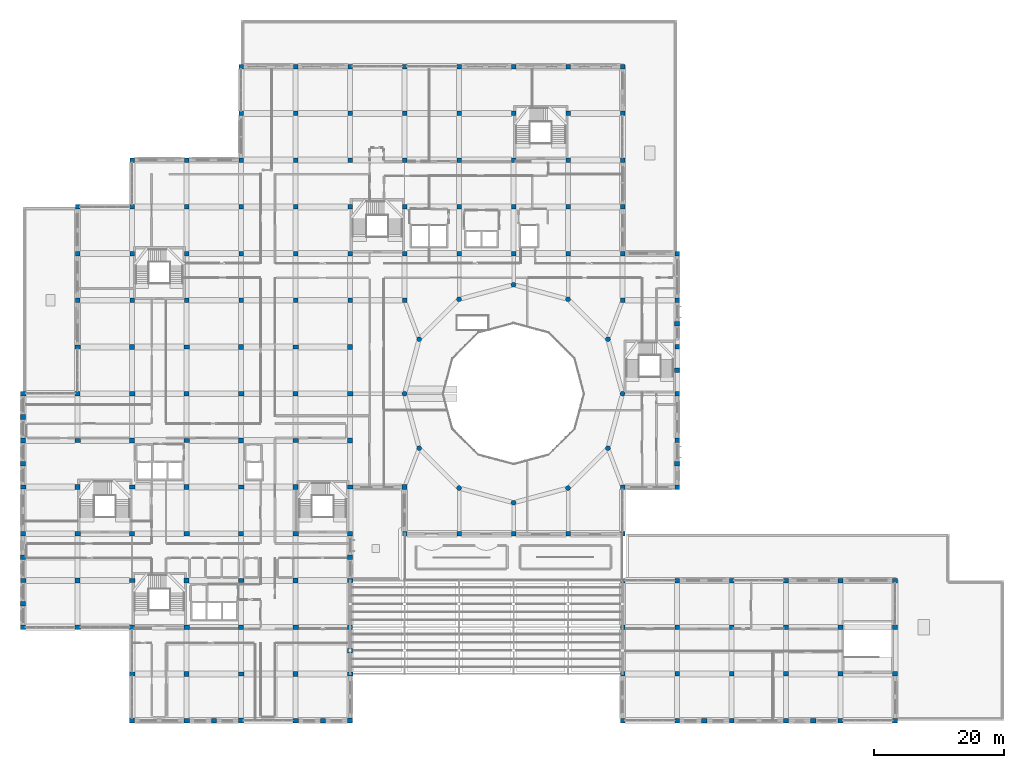
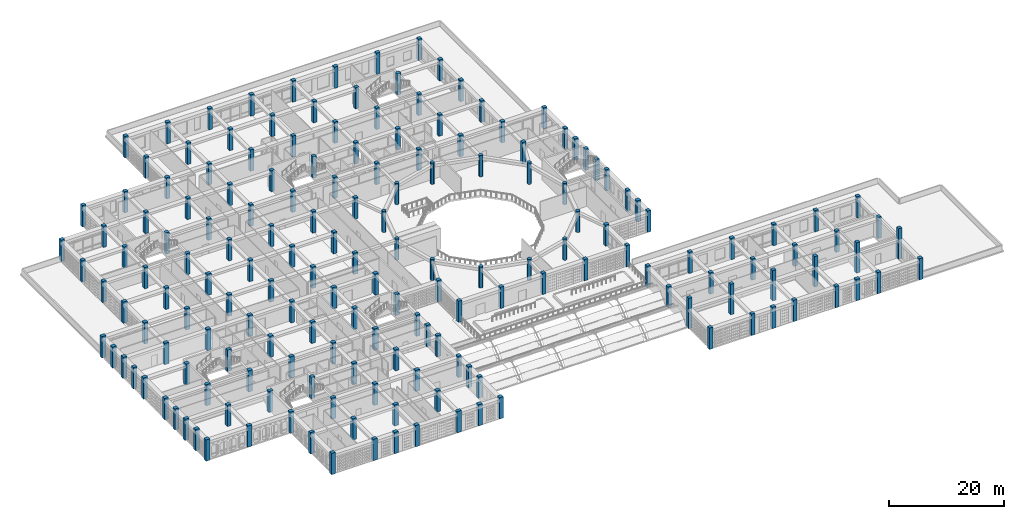
# One storey, part 1 of 100: 176 columns.
"""IFC4 building model written with IfcOpenShell, lengths in metres."""

from ifc_helpers import new_model, si_unit, derived_unit, direction, frame, origin, origin_2d, place, context, subcontext, project, spatial, rectangle, circle, extrude, material, material_profile, profile_set, type_object, element, save


model = new_model("IFC4")

# Units and contexts
model_context = context("Model", 3, precision=1e-05, world=origin(), true_north=direction((0.0, 1.0)))
body_context = subcontext(model_context, "Body", "Model", "MODEL_VIEW")
ifc_project = project(units=[si_unit("LENGTHUNIT", "METRE"), si_unit("AREAUNIT", "SQUARE_METRE"), si_unit("VOLUMEUNIT", "CUBIC_METRE"), si_unit("PLANEANGLEUNIT", "RADIAN"), si_unit("MASSUNIT", "GRAM", prefix="KILO"), derived_unit("THERMALTRANSMITTANCEUNIT", [(si_unit("POWERUNIT", "WATT"), 1), (si_unit("LENGTHUNIT", "METRE"), -2), (si_unit("THERMODYNAMICTEMPERATUREUNIT", "KELVIN"), -1)])], contexts=[model_context])

# Site, building, storey
site_placement = place(None, origin())
site = spatial("IfcSite", under=ifc_project, at=site_placement, CompositionType="ELEMENT")
building_placement = place(site_placement, origin())
building = spatial("IfcBuilding", under=site, at=building_placement, Name="Veybourne Emporium", CompositionType="ELEMENT")
storey_placement = place(building_placement, frame((0.0, 0.0, 14.39990234375)))
storey = spatial("IfcBuildingStorey", under=building, at=storey_placement, Name="L03", CompositionType="ELEMENT", Elevation=14.39990234375)

# Columns
ifc_material = material(Name="Concrete C40/50", Category="concrete")
ifc_material_profile_1 = material_profile(ifc_material, rectangle(XDim=0.75, YDim=0.75, at=origin_2d()), Name="RC 750x750")
ifc_profile_set_1 = profile_set([ifc_material_profile_1], Name="Concrete C40/50")
column_type_1 = type_object("IfcColumnType", Name="Col_C-03", PredefinedType="COLUMN", material=ifc_profile_set_1)
for number, where, z_axis, x_axis, name in (
    (1, (8.39990234375, 21.60009765625, 0.0), (0.0, 0.0, 1.0), (1.0, 0.0, 0.0), "Column C-03 L03 (1,3)"),
    (2, (8.39990234375, 36.0, 0.0), (0.0, 0.0, 1.0), (1.0, 0.0, 0.0), "Column C-03 L03 (1,5)"),
    (3, (8.39990234375, 50.39990234375, 0.0), (0.0, 0.0, 1.0), (1.0, 0.0, 0.0), "Column C-03 L03 (1,7)"),
    (4, (16.800048828125, 14.39990234375, 0.0), (0.0, 0.0, 1.0), (1.0, 0.0, 0.0), "Column C-03 L03 (2,2)"),
    (5, (16.800048828125, 28.800048828125, 0.0), (0.0, 0.0, 1.0), (1.0, 0.0, 0.0), "Column C-03 L03 (2,4)"),
    (6, (16.800048828125, 43.199951171875, 0.0), (0.0, 0.0, 1.0), (1.0, 0.0, 0.0), "Column C-03 L03 (2,6)"),
    (7, (16.800048828125, 57.60009765625, 0.0), (0.0, 0.0, 1.0), (1.0, 0.0, 0.0), "Column C-03 L03 (2,8)"),
    (8, (25.199951171875, 7.199951171875, 0.0), (0.0, 0.0, 1.0), (1.0, 0.0, 0.0), "Column C-03 L03 (3,1)"),
    (9, (25.199951171875, 21.60009765625, 0.0), (0.0, 0.0, 1.0), (1.0, 0.0, 0.0), "Column C-03 L03 (3,3)"),
    (10, (25.199951171875, 36.0, 0.0), (0.0, 0.0, 1.0), (1.0, 0.0, 0.0), "Column C-03 L03 (3,5)"),
    (11, (25.199951171875, 50.39990234375, 0.0), (0.0, 0.0, 1.0), (1.0, 0.0, 0.0), "Column C-03 L03 (3,7)"),
    (12, (33.60009765625, 14.39990234375, 0.0), (0.0, 0.0, 1.0), (1.0, 0.0, 0.0), "Column C-03 L03 (4,2)"),
    (13, (33.60009765625, 28.800048828125, 0.0), (0.0, 0.0, 1.0), (1.0, 0.0, 0.0), "Column C-03 L03 (4,4)"),
    (14, (33.60009765625, 43.199951171875, 0.0), (0.0, 0.0, 1.0), (1.0, 0.0, 0.0), "Column C-03 L03 (4,6)"),
    (15, (33.60009765625, 57.60009765625, 0.0), (0.0, 0.0, 1.0), (1.0, 0.0, 0.0), "Column C-03 L03 (4,8)"),
    (16, (42.0, 7.199951171875, 0.0), (0.0, 0.0, 1.0), (1.0, 0.0, 0.0), "Column C-03 L03 (5,1)"),
    (17, (42.0, 21.60009765625, 0.0), (0.0, 0.0, 1.0), (1.0, 0.0, 0.0), "Column C-03 L03 (5,3)"),
    (18, (42.0, 36.0, 0.0), (0.0, 0.0, 1.0), (1.0, 0.0, 0.0), "Column C-03 L03 (5,5)"),
    (19, (42.0, 50.39990234375, 0.0), (0.0, 0.0, 1.0), (1.0, 0.0, 0.0), "Column C-03 L03 (5,7)"),
    (20, (50.39990234375, 14.39990234375, 0.0), (0.0, 0.0, 1.0), (1.0, 0.0, 0.0), "Column C-03 L03 (6,2)"),
    (21, (50.39990234375, 28.800048828125, 0.0), (0.0, 0.0, 1.0), (1.0, 0.0, 0.0), "Column C-03 L03 (6,4)"),
    (22, (50.39990234375, 43.199951171875, 0.0), (0.0, 0.0, 1.0), (1.0, 0.0, 0.0), "Column C-03 L03 (6,6)"),
    (23, (50.39990234375, 57.60009765625, 0.0), (0.0, 0.0, 1.0), (1.0, 0.0, 0.0), "Column C-03 L03 (6,8)"),
    (24, (58.800048828125, 36.0, 0.0), (0.0, 0.0, 1.0), (1.0, 0.0, 0.0), "Column C-03 L03 (7,5)"),
):
    element("IfcColumn", number, at=place(storey_placement, frame(where, z_axis=z_axis, x_axis=x_axis)), inside=storey, type_object=column_type_1, Name=name, PredefinedType="COLUMN", context=body_context, shape_type="SweptSolid", body=[
        extrude(rectangle(XDim=0.75, YDim=0.75, at=origin_2d()), origin(), (0.0, 0.0, 1.0), 4.5),
    ])
ifc_material_profile_2 = material_profile(ifc_material, rectangle(XDim=0.699951171875, YDim=0.699951171875, at=origin_2d()), Name="RC 700x700")
ifc_profile_set_2 = profile_set([ifc_material_profile_2], Name="Concrete C40/50")
column_type_2 = type_object("IfcColumnType", Name="Col_C-04", PredefinedType="COLUMN", material=ifc_profile_set_2)
for number, where, z_axis, x_axis, name in (
    (25, (8.39990234375, 64.800048828125, 0.0), (0.0, 0.0, 1.0), (1.0, 0.0, 0.0), "Column C-04 L03 (1,9)"),
    (26, (8.39990234375, 72.0, 0.0), (0.0, 0.0, 1.0), (1.0, 0.0, 0.0), "Column C-04 L03 (1,10)"),
    (27, (8.39990234375, 79.199951171875, 0.0), (0.0, 0.0, 1.0), (1.0, 0.0, 0.0), "Column C-04 L03 (1,11)"),
    (28, (16.800048828125, 64.800048828125, 0.0), (0.0, 0.0, 1.0), (1.0, 0.0, 0.0), "Column C-04 L03 (2,9)"),
    (29, (16.800048828125, 72.0, 0.0), (0.0, 0.0, 1.0), (1.0, 0.0, 0.0), "Column C-04 L03 (2,10)"),
    (30, (16.800048828125, 79.199951171875, 0.0), (0.0, 0.0, 1.0), (1.0, 0.0, 0.0), "Column C-04 L03 (2,11)"),
    (31, (16.800048828125, 86.39990234375, 0.0), (0.0, 0.0, 1.0), (1.0, 0.0, 0.0), "Column C-04 L03 (2,12)"),
    (32, (25.199951171875, 64.800048828125, 0.0), (0.0, 0.0, 1.0), (1.0, 0.0, 0.0), "Column C-04 L03 (3,9)"),
    (33, (25.199951171875, 72.0, 0.0), (0.0, 0.0, 1.0), (1.0, 0.0, 0.0), "Column C-04 L03 (3,10)"),
    (34, (25.199951171875, 79.199951171875, 0.0), (0.0, 0.0, 1.0), (1.0, 0.0, 0.0), "Column C-04 L03 (3,11)"),
    (35, (25.199951171875, 86.39990234375, 0.0), (0.0, 0.0, 1.0), (1.0, 0.0, 0.0), "Column C-04 L03 (3,12)"),
    (36, (33.60009765625, 64.800048828125, 0.0), (0.0, 0.0, 1.0), (1.0, 0.0, 0.0), "Column C-04 L03 (4,9)"),
    (37, (33.60009765625, 72.0, 0.0), (0.0, 0.0, 1.0), (1.0, 0.0, 0.0), "Column C-04 L03 (4,10)"),
    (38, (33.60009765625, 79.199951171875, 0.0), (0.0, 0.0, 1.0), (1.0, 0.0, 0.0), "Column C-04 L03 (4,11)"),
    (39, (33.60009765625, 86.39990234375, 0.0), (0.0, 0.0, 1.0), (1.0, 0.0, 0.0), "Column C-04 L03 (4,12)"),
    (40, (33.60009765625, 93.60009765625, 0.0), (0.0, 0.0, 1.0), (1.0, 0.0, 0.0), "Column C-04 L03 (4,13)"),
    (41, (33.60009765625, 100.800048828125, 0.0), (0.0, 0.0, 1.0), (1.0, 0.0, 0.0), "Column C-04 L03 (4,14)"),
    (42, (42.0, 64.800048828125, 0.0), (0.0, 0.0, 1.0), (1.0, 0.0, 0.0), "Column C-04 L03 (5,9)"),
    (43, (42.0, 72.0, 0.0), (0.0, 0.0, 1.0), (1.0, 0.0, 0.0), "Column C-04 L03 (5,10)"),
    (44, (42.0, 79.199951171875, 0.0), (0.0, 0.0, 1.0), (1.0, 0.0, 0.0), "Column C-04 L03 (5,11)"),
    (45, (42.0, 86.39990234375, 0.0), (0.0, 0.0, 1.0), (1.0, 0.0, 0.0), "Column C-04 L03 (5,12)"),
    (46, (42.0, 93.60009765625, 0.0), (0.0, 0.0, 1.0), (1.0, 0.0, 0.0), "Column C-04 L03 (5,13)"),
    (47, (42.0, 100.800048828125, 0.0), (0.0, 0.0, 1.0), (1.0, 0.0, 0.0), "Column C-04 L03 (5,14)"),
    (48, (50.39990234375, 64.800048828125, 0.0), (0.0, 0.0, 1.0), (1.0, 0.0, 0.0), "Column C-04 L03 (6,9)"),
    (49, (50.39990234375, 72.0, 0.0), (0.0, 0.0, 1.0), (1.0, 0.0, 0.0), "Column C-04 L03 (6,10)"),
    (50, (50.39990234375, 79.199951171875, 0.0), (0.0, 0.0, 1.0), (1.0, 0.0, 0.0), "Column C-04 L03 (6,11)"),
    (51, (50.39990234375, 86.39990234375, 0.0), (0.0, 0.0, 1.0), (1.0, 0.0, 0.0), "Column C-04 L03 (6,12)"),
    (52, (50.39990234375, 93.60009765625, 0.0), (0.0, 0.0, 1.0), (1.0, 0.0, 0.0), "Column C-04 L03 (6,13)"),
    (53, (50.39990234375, 100.800048828125, 0.0), (0.0, 0.0, 1.0), (1.0, 0.0, 0.0), "Column C-04 L03 (6,14)"),
    (54, (58.800048828125, 28.800048828125, 0.0), (0.0, 0.0, 1.0), (1.0, 0.0, 0.0), "Column C-04 L03 (7,4)"),
    (55, (58.800048828125, 64.800048828125, 0.0), (0.0, 0.0, 1.0), (1.0, 0.0, 0.0), "Column C-04 L03 (7,9)"),
    (56, (58.800048828125, 72.0, 0.0), (0.0, 0.0, 1.0), (1.0, 0.0, 0.0), "Column C-04 L03 (7,10)"),
    (57, (58.800048828125, 79.199951171875, 0.0), (0.0, 0.0, 1.0), (1.0, 0.0, 0.0), "Column C-04 L03 (7,11)"),
    (58, (58.800048828125, 86.39990234375, 0.0), (0.0, 0.0, 1.0), (1.0, 0.0, 0.0), "Column C-04 L03 (7,12)"),
    (59, (58.800048828125, 93.60009765625, 0.0), (0.0, 0.0, 1.0), (1.0, 0.0, 0.0), "Column C-04 L03 (7,13)"),
    (60, (58.800048828125, 100.800048828125, 0.0), (0.0, 0.0, 1.0), (1.0, 0.0, 0.0), "Column C-04 L03 (7,14)"),
    (61, (67.199951171875, 28.800048828125, 0.0), (0.0, 0.0, 1.0), (1.0, 0.0, 0.0), "Column C-04 L03 (8,4)"),
    (62, (67.199951171875, 72.0, 0.0), (0.0, 0.0, 1.0), (1.0, 0.0, 0.0), "Column C-04 L03 (8,10)"),
    (63, (67.199951171875, 79.199951171875, 0.0), (0.0, 0.0, 1.0), (1.0, 0.0, 0.0), "Column C-04 L03 (8,11)"),
    (64, (67.199951171875, 86.39990234375, 0.0), (0.0, 0.0, 1.0), (1.0, 0.0, 0.0), "Column C-04 L03 (8,12)"),
    (65, (67.199951171875, 93.60009765625, 0.0), (0.0, 0.0, 1.0), (1.0, 0.0, 0.0), "Column C-04 L03 (8,13)"),
    (66, (67.199951171875, 100.800048828125, 0.0), (0.0, 0.0, 1.0), (1.0, 0.0, 0.0), "Column C-04 L03 (8,14)"),
    (67, (75.60009765625, 28.800048828125, 0.0), (0.0, 0.0, 1.0), (1.0, 0.0, 0.0), "Column C-04 L03 (9,4)"),
    (68, (75.60009765625, 72.0, 0.0), (0.0, 0.0, 1.0), (1.0, 0.0, 0.0), "Column C-04 L03 (9,10)"),
    (69, (75.60009765625, 79.199951171875, 0.0), (0.0, 0.0, 1.0), (1.0, 0.0, 0.0), "Column C-04 L03 (9,11)"),
    (70, (75.60009765625, 86.39990234375, 0.0), (0.0, 0.0, 1.0), (1.0, 0.0, 0.0), "Column C-04 L03 (9,12)"),
    (71, (75.60009765625, 93.60009765625, 0.0), (0.0, 0.0, 1.0), (1.0, 0.0, 0.0), "Column C-04 L03 (9,13)"),
    (72, (75.60009765625, 100.800048828125, 0.0), (0.0, 0.0, 1.0), (1.0, 0.0, 0.0), "Column C-04 L03 (9,14)"),
    (73, (84.0, 28.800048828125, 0.0), (0.0, 0.0, 1.0), (1.0, 0.0, 0.0), "Column C-04 L03 (10,4)"),
    (74, (84.0, 72.0, 0.0), (0.0, 0.0, 1.0), (1.0, 0.0, 0.0), "Column C-04 L03 (10,10)"),
    (75, (84.0, 79.199951171875, 0.0), (0.0, 0.0, 1.0), (1.0, 0.0, 0.0), "Column C-04 L03 (10,11)"),
    (76, (84.0, 86.39990234375, 0.0), (0.0, 0.0, 1.0), (1.0, 0.0, 0.0), "Column C-04 L03 (10,12)"),
    (77, (84.0, 93.60009765625, 0.0), (0.0, 0.0, 1.0), (1.0, 0.0, 0.0), "Column C-04 L03 (10,13)"),
    (78, (84.0, 100.800048828125, 0.0), (0.0, 0.0, 1.0), (1.0, 0.0, 0.0), "Column C-04 L03 (10,14)"),
):
    element("IfcColumn", number, at=place(storey_placement, frame(where, z_axis=z_axis, x_axis=x_axis)), inside=storey, type_object=column_type_2, Name=name, PredefinedType="COLUMN", context=body_context, shape_type="SweptSolid", body=[
        extrude(rectangle(XDim=0.699951171875, YDim=0.699951171875, at=origin_2d()), origin(), (0.0, 0.0, 1.0), 4.5),
    ])
column_1_placement = place(storey_placement, frame((92.39990234375, 7.199951171875, 0.0), z_axis=(0.0, 0.0, 1.0), x_axis=(1.0, 0.0, 0.0)))
element("IfcColumn", 79, at=column_1_placement, inside=storey, type_object=column_type_2, Name="Column C-04 L03 (11,1)", PredefinedType="COLUMN", context=body_context, shape_type="SweptSolid", body=[
    extrude(rectangle(XDim=0.699951171875, YDim=0.699951171875, at=origin_2d()), origin(), (0.0, 0.0, 1.0), 6.4501953125),
])
for number, where, z_axis, x_axis, name in (
    (80, (92.39990234375, 14.39990234375, 0.0), (0.0, 0.0, 1.0), (1.0, 0.0, 0.0), "Column C-04 L03 (11,2)"),
    (81, (92.39990234375, 21.60009765625, 0.0), (0.0, 0.0, 1.0), (1.0, 0.0, 0.0), "Column C-04 L03 (11,3)"),
    (82, (92.39990234375, 28.800048828125, 0.0), (0.0, 0.0, 1.0), (1.0, 0.0, 0.0), "Column C-04 L03 (11,4)"),
    (83, (92.39990234375, 36.0, 0.0), (0.0, 0.0, 1.0), (1.0, 0.0, 0.0), "Column C-04 L03 (11,5)"),
    (84, (92.39990234375, 64.800048828125, 0.0), (0.0, 0.0, 1.0), (1.0, 0.0, 0.0), "Column C-04 L03 (11,9)"),
    (85, (92.39990234375, 72.0, 0.0), (0.0, 0.0, 1.0), (1.0, 0.0, 0.0), "Column C-04 L03 (11,10)"),
    (86, (92.39990234375, 79.199951171875, 0.0), (0.0, 0.0, 1.0), (1.0, 0.0, 0.0), "Column C-04 L03 (11,11)"),
    (87, (92.39990234375, 86.39990234375, 0.0), (0.0, 0.0, 1.0), (1.0, 0.0, 0.0), "Column C-04 L03 (11,12)"),
    (88, (92.39990234375, 93.60009765625, 0.0), (0.0, 0.0, 1.0), (1.0, 0.0, 0.0), "Column C-04 L03 (11,13)"),
    (89, (92.39990234375, 100.800048828125, 0.0), (0.0, 0.0, 1.0), (1.0, 0.0, 0.0), "Column C-04 L03 (11,14)"),
):
    element("IfcColumn", number, at=place(storey_placement, frame(where, z_axis=z_axis, x_axis=x_axis)), inside=storey, type_object=column_type_2, Name=name, PredefinedType="COLUMN", context=body_context, shape_type="SweptSolid", body=[
        extrude(rectangle(XDim=0.699951171875, YDim=0.699951171875, at=origin_2d()), origin(), (0.0, 0.0, 1.0), 4.5),
    ])
column_2_placement = place(storey_placement, frame((100.800048828125, 7.199951171875, 0.0), z_axis=(0.0, 0.0, 1.0), x_axis=(1.0, 0.0, 0.0)))
element("IfcColumn", 90, at=column_2_placement, inside=storey, type_object=column_type_2, Name="Column C-04 L03 (12,1)", PredefinedType="COLUMN", context=body_context, shape_type="SweptSolid", body=[
    extrude(rectangle(XDim=0.699951171875, YDim=0.699951171875, at=origin_2d()), origin(), (0.0, 0.0, 1.0), 6.4501953125),
])
for number, where, z_axis, x_axis, name in (
    (91, (100.800048828125, 14.39990234375, 0.0), (0.0, 0.0, 1.0), (1.0, 0.0, 0.0), "Column C-04 L03 (12,2)"),
    (92, (100.800048828125, 21.60009765625, 0.0), (0.0, 0.0, 1.0), (1.0, 0.0, 0.0), "Column C-04 L03 (12,3)"),
    (93, (100.800048828125, 36.0, 0.0), (0.0, 0.0, 1.0), (1.0, 0.0, 0.0), "Column C-04 L03 (12,5)"),
    (94, (100.800048828125, 43.199951171875, 0.0), (0.0, 0.0, 1.0), (1.0, 0.0, 0.0), "Column C-04 L03 (12,6)"),
    (95, (100.800048828125, 50.39990234375, 0.0), (0.0, 0.0, 1.0), (1.0, 0.0, 0.0), "Column C-04 L03 (12,7)"),
    (96, (100.800048828125, 57.60009765625, 0.0), (0.0, 0.0, 1.0), (1.0, 0.0, 0.0), "Column C-04 L03 (12,8)"),
    (97, (100.800048828125, 64.800048828125, 0.0), (0.0, 0.0, 1.0), (1.0, 0.0, 0.0), "Column C-04 L03 (12,9)"),
    (98, (100.800048828125, 72.0, 0.0), (0.0, 0.0, 1.0), (1.0, 0.0, 0.0), "Column C-04 L03 (12,10)"),
):
    element("IfcColumn", number, at=place(storey_placement, frame(where, z_axis=z_axis, x_axis=x_axis)), inside=storey, type_object=column_type_2, Name=name, PredefinedType="COLUMN", context=body_context, shape_type="SweptSolid", body=[
        extrude(rectangle(XDim=0.699951171875, YDim=0.699951171875, at=origin_2d()), origin(), (0.0, 0.0, 1.0), 4.5),
    ])
column_3_placement = place(storey_placement, frame((109.199951171875, 7.199951171875, 0.0), z_axis=(0.0, 0.0, 1.0), x_axis=(1.0, 0.0, 0.0)))
element("IfcColumn", 99, at=column_3_placement, inside=storey, type_object=column_type_2, Name="Column C-04 L03 (13,1)", PredefinedType="COLUMN", context=body_context, shape_type="SweptSolid", body=[
    extrude(rectangle(XDim=0.699951171875, YDim=0.699951171875, at=origin_2d()), origin(), (0.0, 0.0, 1.0), 6.4501953125),
])
for number, where, z_axis, x_axis, name in (
    (100, (109.199951171875, 14.39990234375, 0.0), (0.0, 0.0, 1.0), (1.0, 0.0, 0.0), "Column C-04 L03 (13,2)"),
    (101, (109.199951171875, 21.60009765625, 0.0), (0.0, 0.0, 1.0), (1.0, 0.0, 0.0), "Column C-04 L03 (13,3)"),
):
    element("IfcColumn", number, at=place(storey_placement, frame(where, z_axis=z_axis, x_axis=x_axis)), inside=storey, type_object=column_type_2, Name=name, PredefinedType="COLUMN", context=body_context, shape_type="SweptSolid", body=[
        extrude(rectangle(XDim=0.699951171875, YDim=0.699951171875, at=origin_2d()), origin(), (0.0, 0.0, 1.0), 4.5),
    ])
column_4_placement = place(storey_placement, frame((117.60009765625, 7.199951171875, 0.0), z_axis=(0.0, 0.0, 1.0), x_axis=(1.0, 0.0, 0.0)))
element("IfcColumn", 102, at=column_4_placement, inside=storey, type_object=column_type_2, Name="Column C-04 L03 (14,1)", PredefinedType="COLUMN", context=body_context, shape_type="SweptSolid", body=[
    extrude(rectangle(XDim=0.699951171875, YDim=0.699951171875, at=origin_2d()), origin(), (0.0, 0.0, 1.0), 6.4501953125),
])
for number, where, z_axis, x_axis, name in (
    (103, (117.60009765625, 14.39990234375, 0.0), (0.0, 0.0, 1.0), (1.0, 0.0, 0.0), "Column C-04 L03 (14,2)"),
    (104, (117.60009765625, 21.60009765625, 0.0), (0.0, 0.0, 1.0), (1.0, 0.0, 0.0), "Column C-04 L03 (14,3)"),
):
    element("IfcColumn", number, at=place(storey_placement, frame(where, z_axis=z_axis, x_axis=x_axis)), inside=storey, type_object=column_type_2, Name=name, PredefinedType="COLUMN", context=body_context, shape_type="SweptSolid", body=[
        extrude(rectangle(XDim=0.699951171875, YDim=0.699951171875, at=origin_2d()), origin(), (0.0, 0.0, 1.0), 4.5),
    ])
column_5_placement = place(storey_placement, frame((126.0, 7.199951171875, 0.0), z_axis=(0.0, 0.0, 1.0), x_axis=(1.0, 0.0, 0.0)))
element("IfcColumn", 105, at=column_5_placement, inside=storey, type_object=column_type_2, Name="Column C-04 L03 (15,1)", PredefinedType="COLUMN", context=body_context, shape_type="SweptSolid", body=[
    extrude(rectangle(XDim=0.699951171875, YDim=0.699951171875, at=origin_2d()), origin(), (0.0, 0.0, 1.0), 6.4501953125),
])
for number, where, z_axis, x_axis, name in (
    (106, (126.0, 14.39990234375, 0.0), (0.0, 0.0, 1.0), (1.0, 0.0, 0.0), "Column C-04 L03 (15,2)"),
    (107, (126.0, 21.60009765625, 0.0), (0.0, 0.0, 1.0), (1.0, 0.0, 0.0), "Column C-04 L03 (15,3)"),
):
    element("IfcColumn", number, at=place(storey_placement, frame(where, z_axis=z_axis, x_axis=x_axis)), inside=storey, type_object=column_type_2, Name=name, PredefinedType="COLUMN", context=body_context, shape_type="SweptSolid", body=[
        extrude(rectangle(XDim=0.699951171875, YDim=0.699951171875, at=origin_2d()), origin(), (0.0, 0.0, 1.0), 4.5),
    ])
column_6_placement = place(storey_placement, frame((134.39990234375, 7.199951171875, 0.0), z_axis=(0.0, 0.0, 1.0), x_axis=(1.0, 0.0, 0.0)))
element("IfcColumn", 108, at=column_6_placement, inside=storey, type_object=column_type_2, Name="Column C-04 L03 (16,1)", PredefinedType="COLUMN", context=body_context, shape_type="SweptSolid", body=[
    extrude(rectangle(XDim=0.699951171875, YDim=0.699951171875, at=origin_2d()), origin(), (0.0, 0.0, 1.0), 6.4501953125),
])
for number, where, z_axis, x_axis, name in (
    (109, (134.39990234375, 14.39990234375, 0.0), (0.0, 0.0, 1.0), (1.0, 0.0, 0.0), "Column C-04 L03 (16,2)"),
    (110, (134.39990234375, 21.60009765625, 0.0), (0.0, 0.0, 1.0), (1.0, 0.0, 0.0), "Column C-04 L03 (16,3)"),
):
    element("IfcColumn", number, at=place(storey_placement, frame(where, z_axis=z_axis, x_axis=x_axis)), inside=storey, type_object=column_type_2, Name=name, PredefinedType="COLUMN", context=body_context, shape_type="SweptSolid", body=[
        extrude(rectangle(XDim=0.699951171875, YDim=0.699951171875, at=origin_2d()), origin(), (0.0, 0.0, 1.0), 4.5),
    ])
ifc_material_profile_3 = material_profile(ifc_material, rectangle(XDim=0.85009765625, YDim=0.64990234375, at=origin_2d()), Name="RC 850x650")
ifc_profile_set_3 = profile_set([ifc_material_profile_3], Name="Concrete C40/50")
column_type_3 = type_object("IfcColumnType", Name="Col_C-09", PredefinedType="COLUMN", material=ifc_profile_set_3)
for number, where, z_axis, x_axis, name in (
    (111, (8.39990234375, 14.39990234375, 0.0), (0.0, 0.0, 1.0), (1.0, 0.0, 0.0), "Column C-09 L03 (1,2)"),
    (112, (8.39990234375, 28.800048828125, 0.0), (0.0, 0.0, 1.0), (1.0, 0.0, 0.0), "Column C-09 L03 (1,4)"),
    (113, (8.39990234375, 43.199951171875, 0.0), (0.0, 0.0, 1.0), (1.0, 0.0, 0.0), "Column C-09 L03 (1,6)"),
    (114, (8.39990234375, 57.60009765625, 0.0), (0.0, 0.0, 1.0), (1.0, 0.0, 0.0), "Column C-09 L03 (1,8)"),
    (115, (16.800048828125, 7.199951171875, 0.0), (0.0, 0.0, 1.0), (1.0, 0.0, 0.0), "Column C-09 L03 (2,1)"),
    (116, (16.800048828125, 21.60009765625, 0.0), (0.0, 0.0, 1.0), (1.0, 0.0, 0.0), "Column C-09 L03 (2,3)"),
    (117, (16.800048828125, 36.0, 0.0), (0.0, 0.0, 1.0), (1.0, 0.0, 0.0), "Column C-09 L03 (2,5)"),
    (118, (16.800048828125, 50.39990234375, 0.0), (0.0, 0.0, 1.0), (1.0, 0.0, 0.0), "Column C-09 L03 (2,7)"),
    (119, (25.199951171875, 14.39990234375, 0.0), (0.0, 0.0, 1.0), (1.0, 0.0, 0.0), "Column C-09 L03 (3,2)"),
    (120, (25.199951171875, 28.800048828125, 0.0), (0.0, 0.0, 1.0), (1.0, 0.0, 0.0), "Column C-09 L03 (3,4)"),
    (121, (25.199951171875, 43.199951171875, 0.0), (0.0, 0.0, 1.0), (1.0, 0.0, 0.0), "Column C-09 L03 (3,6)"),
    (122, (25.199951171875, 57.60009765625, 0.0), (0.0, 0.0, 1.0), (1.0, 0.0, 0.0), "Column C-09 L03 (3,8)"),
    (123, (33.60009765625, 7.199951171875, 0.0), (0.0, 0.0, 1.0), (1.0, 0.0, 0.0), "Column C-09 L03 (4,1)"),
    (124, (33.60009765625, 21.60009765625, 0.0), (0.0, 0.0, 1.0), (1.0, 0.0, 0.0), "Column C-09 L03 (4,3)"),
    (125, (33.60009765625, 36.0, 0.0), (0.0, 0.0, 1.0), (1.0, 0.0, 0.0), "Column C-09 L03 (4,5)"),
    (126, (33.60009765625, 50.39990234375, 0.0), (0.0, 0.0, 1.0), (1.0, 0.0, 0.0), "Column C-09 L03 (4,7)"),
    (127, (42.0, 14.39990234375, 0.0), (0.0, 0.0, 1.0), (1.0, 0.0, 0.0), "Column C-09 L03 (5,2)"),
    (128, (42.0, 28.800048828125, 0.0), (0.0, 0.0, 1.0), (1.0, 0.0, 0.0), "Column C-09 L03 (5,4)"),
    (129, (42.0, 43.199951171875, 0.0), (0.0, 0.0, 1.0), (1.0, 0.0, 0.0), "Column C-09 L03 (5,6)"),
    (130, (42.0, 57.60009765625, 0.0), (0.0, 0.0, 1.0), (1.0, 0.0, 0.0), "Column C-09 L03 (5,8)"),
    (131, (50.39990234375, 7.199951171875, 0.0), (0.0, 0.0, 1.0), (1.0, 0.0, 0.0), "Column C-09 L03 (6,1)"),
    (132, (50.39990234375, 21.60009765625, 0.0), (0.0, 0.0, 1.0), (1.0, 0.0, 0.0), "Column C-09 L03 (6,3)"),
    (133, (50.39990234375, 36.0, 0.0), (0.0, 0.0, 1.0), (1.0, 0.0, 0.0), "Column C-09 L03 (6,5)"),
    (134, (50.39990234375, 50.39990234375, 0.0), (0.0, 0.0, 1.0), (1.0, 0.0, 0.0), "Column C-09 L03 (6,7)"),
):
    element("IfcColumn", number, at=place(storey_placement, frame(where, z_axis=z_axis, x_axis=x_axis)), inside=storey, type_object=column_type_3, Name=name, PredefinedType="COLUMN", context=body_context, shape_type="SweptSolid", body=[
        extrude(rectangle(XDim=0.85009765625, YDim=0.64990234375, at=origin_2d()), origin(), (0.0, 0.0, 1.0), 4.5),
    ])
ifc_material_profile_4 = material_profile(ifc_material, circle(Radius=0.375, at=origin_2d()), Name="RC D750")
ifc_profile_set_4 = profile_set([ifc_material_profile_4], Name="Concrete C40/50")
column_type_4 = type_object("IfcColumnType", Name="Col_CD-02", PredefinedType="COLUMN", material=ifc_profile_set_4)
for number, where, z_axis, x_axis, name in (
    (135, (92.39990234375, 50.39990234375, 0.0), (0.0, 0.0, 1.0), (1.0, 0.0, 0.0), "Atrium drum column CD-02 L03-01"),
    (136, (90.149169921875, 58.800048828125, 0.0), (0.0, 0.0, 1.0), (1.0, 0.0, 0.0), "Atrium drum column CD-02 L03-02"),
    (137, (84.0, 64.94921875, 0.0), (0.0, 0.0, 1.0), (1.0, 0.0, 0.0), "Atrium drum column CD-02 L03-03"),
    (138, (75.60009765625, 67.199951171875, 0.0), (0.0, 0.0, 1.0), (1.0, 0.0, 0.0), "Atrium drum column CD-02 L03-04"),
    (139, (67.199951171875, 64.94921875, 0.0), (0.0, 0.0, 1.0), (1.0, 0.0, 0.0), "Atrium drum column CD-02 L03-05"),
    (140, (61.05078125, 58.800048828125, 0.0), (0.0, 0.0, 1.0), (1.0, 0.0, 0.0), "Atrium drum column CD-02 L03-06"),
    (141, (58.800048828125, 50.39990234375, 0.0), (0.0, 0.0, 1.0), (1.0, 0.0, 0.0), "Atrium drum column CD-02 L03-07"),
    (142, (61.05078125, 42.0, 0.0), (0.0, 0.0, 1.0), (1.0, 0.0, 0.0), "Atrium drum column CD-02 L03-08"),
    (143, (67.199951171875, 35.850830078125, 0.0), (0.0, 0.0, 1.0), (1.0, 0.0, 0.0), "Atrium drum column CD-02 L03-09"),
    (144, (75.60009765625, 33.60009765625, 0.0), (0.0, 0.0, 1.0), (1.0, 0.0, 0.0), "Atrium drum column CD-02 L03-10"),
    (145, (84.0, 35.850830078125, 0.0), (0.0, 0.0, 1.0), (1.0, 0.0, 0.0), "Atrium drum column CD-02 L03-11"),
    (146, (90.149169921875, 42.0, 0.0), (0.0, 0.0, 1.0), (1.0, 0.0, 0.0), "Atrium drum column CD-02 L03-12"),
):
    element("IfcColumn", number, at=place(storey_placement, frame(where, z_axis=z_axis, x_axis=x_axis)), inside=storey, type_object=column_type_4, Name=name, PredefinedType="COLUMN", context=body_context, shape_type="SweptSolid", body=[
        extrude(circle(Radius=0.375, at=origin_2d()), origin(), (0.0, 0.0, 1.0), 4.5),
    ])
ifc_material_profile_5 = material_profile(ifc_material, rectangle(XDim=0.75, YDim=0.75, at=origin_2d()), Name="RC 750x750")
ifc_profile_set_5 = profile_set([ifc_material_profile_5], Name="Concrete C40/50")
column_type_5 = type_object("IfcColumnType", Name="Col_CE-03", PredefinedType="COLUMN", material=ifc_profile_set_5)
for number, where, z_axis, x_axis, name in (
    (147, (0.0, 14.39990234375, 0.0), (0.0, 0.0, 1.0), (1.0, 0.0, 0.0), "Column CE-03 L03 (0,2)"),
    (148, (0.0, 28.800048828125, 0.0), (0.0, 0.0, 1.0), (1.0, 0.0, 0.0), "Column CE-03 L03 (0,4)"),
    (149, (0.0, 43.199951171875, 0.0), (0.0, 0.0, 1.0), (1.0, 0.0, 0.0), "Column CE-03 L03 (0,6)"),
    (150, (16.800048828125, 0.0, 0.0), (0.0, 0.0, 1.0), (1.0, 0.0, 0.0), "Column CE-03 L03 (2,0)"),
    (151, (33.60009765625, 0.0, 0.0), (0.0, 0.0, 1.0), (1.0, 0.0, 0.0), "Column CE-03 L03 (4,0)"),
    (152, (50.39990234375, 0.0, 0.0), (0.0, 0.0, 1.0), (1.0, 0.0, 0.0), "Column CE-03 L03 (6,0)"),
):
    element("IfcColumn", number, at=place(storey_placement, frame(where, z_axis=z_axis, x_axis=x_axis)), inside=storey, type_object=column_type_5, Name=name, PredefinedType="COLUMN", context=body_context, shape_type="SweptSolid", body=[
        extrude(rectangle(XDim=0.75, YDim=0.75, at=origin_2d()), origin(), (0.0, 0.0, 1.0), 4.5),
    ])
ifc_material_profile_6 = material_profile(ifc_material, rectangle(XDim=0.699951171875, YDim=0.699951171875, at=origin_2d()), Name="RC 700x700")
ifc_profile_set_6 = profile_set([ifc_material_profile_6], Name="Concrete C40/50")
column_type_6 = type_object("IfcColumnType", Name="Col_CE-04", PredefinedType="COLUMN", material=ifc_profile_set_6)
for number, where, z_axis, x_axis, name in (
    (153, (92.39990234375, 0.0, 0.0), (0.0, 0.0, 1.0), (1.0, 0.0, 0.0), "Column CE-04 L03 (11,0)"),
    (154, (100.800048828125, 0.0, 0.0), (0.0, 0.0, 1.0), (1.0, 0.0, 0.0), "Column CE-04 L03 (12,0)"),
    (155, (109.199951171875, 0.0, 0.0), (0.0, 0.0, 1.0), (1.0, 0.0, 0.0), "Column CE-04 L03 (13,0)"),
    (156, (117.60009765625, 0.0, 0.0), (0.0, 0.0, 1.0), (1.0, 0.0, 0.0), "Column CE-04 L03 (14,0)"),
    (157, (126.0, 0.0, 0.0), (0.0, 0.0, 1.0), (1.0, 0.0, 0.0), "Column CE-04 L03 (15,0)"),
    (158, (134.39990234375, 0.0, 0.0), (0.0, 0.0, 1.0), (1.0, 0.0, 0.0), "Column CE-04 L03 (16,0)"),
):
    element("IfcColumn", number, at=place(storey_placement, frame(where, z_axis=z_axis, x_axis=x_axis)), inside=storey, type_object=column_type_6, Name=name, PredefinedType="COLUMN", context=body_context, shape_type="SweptSolid", body=[
        extrude(rectangle(XDim=0.699951171875, YDim=0.699951171875, at=origin_2d()), origin(), (0.0, 0.0, 1.0), 4.5),
    ])
ifc_material_profile_7 = material_profile(ifc_material, rectangle(XDim=0.85009765625, YDim=0.64990234375, at=origin_2d()), Name="RC 850x650")
ifc_profile_set_7 = profile_set([ifc_material_profile_7], Name="Concrete C40/50")
column_type_7 = type_object("IfcColumnType", Name="Col_CE-09", PredefinedType="COLUMN", material=ifc_profile_set_7)
for number, where, z_axis, x_axis, name in (
    (159, (0.0, 21.60009765625, 0.0), (0.0, 0.0, 1.0), (1.0, 0.0, 0.0), "Column CE-09 L03 (0,3)"),
    (160, (0.0, 36.0, 0.0), (0.0, 0.0, 1.0), (1.0, 0.0, 0.0), "Column CE-09 L03 (0,5)"),
    (161, (0.0, 50.39990234375, 0.0), (0.0, 0.0, 1.0), (1.0, 0.0, 0.0), "Column CE-09 L03 (0,7)"),
    (162, (25.199951171875, 0.0, 0.0), (0.0, 0.0, 1.0), (1.0, 0.0, 0.0), "Column CE-09 L03 (3,0)"),
    (163, (42.0, 0.0, 0.0), (0.0, 0.0, 1.0), (1.0, 0.0, 0.0), "Column CE-09 L03 (5,0)"),
):
    element("IfcColumn", number, at=place(storey_placement, frame(where, z_axis=z_axis, x_axis=x_axis)), inside=storey, type_object=column_type_7, Name=name, PredefinedType="COLUMN", context=body_context, shape_type="SweptSolid", body=[
        extrude(rectangle(XDim=0.85009765625, YDim=0.64990234375, at=origin_2d()), origin(), (0.0, 0.0, 1.0), 4.5),
    ])
ifc_material_profile_8 = material_profile(ifc_material, rectangle(XDim=0.780029296875, YDim=0.719970703125, at=origin_2d()), Name="RC 780x720")
ifc_profile_set_8 = profile_set([ifc_material_profile_8], Name="Concrete C40/50")
column_type_8 = type_object("IfcColumnType", Name="Col_CE-11", PredefinedType="PILASTER", material=ifc_profile_set_8)
for number, where, z_axis, x_axis, name in (
    (164, (0.0, 18.0, 0.0), (0.0, 0.0, 1.0), (1.0, 0.0, 0.0), "Fluted stone pilaster CE-11 L03-01"),
    (165, (0.0, 25.199951171875, 0.0), (0.0, 0.0, 1.0), (1.0, 0.0, 0.0), "Fluted stone pilaster CE-11 L03-02"),
    (166, (0.0, 39.60009765625, 0.0), (0.0, 0.0, 1.0), (1.0, 0.0, 0.0), "Fluted stone pilaster CE-11 L03-03"),
    (167, (0.0, 46.800048828125, 0.0), (0.0, 0.0, 1.0), (1.0, 0.0, 0.0), "Fluted stone pilaster CE-11 L03-04"),
    (168, (29.39990234375, 0.0, 0.0), (0.0, 0.0, 1.0), (1.0, 0.0, 0.0), "Fluted stone pilaster CE-11 L03-13"),
    (169, (46.199951171875, 0.0, 0.0), (0.0, 0.0, 1.0), (1.0, 0.0, 0.0), "Fluted stone pilaster CE-11 L03-14"),
    (170, (105.0, 0.0, 0.0), (0.0, 0.0, 1.0), (1.0, 0.0, 0.0), "Fluted stone pilaster CE-11 L03-15"),
    (171, (121.800048828125, 0.0, 0.0), (0.0, 0.0, 1.0), (1.0, 0.0, 0.0), "Fluted stone pilaster CE-11 L03-16"),
    (172, (50.39990234375, 10.800048828125, 0.0), (0.0, 0.0, 1.0), (1.0, 0.0, 0.0), "Fluted stone pilaster CE-11 L03-18"),
    (173, (50.39990234375, 25.199951171875, 0.0), (0.0, 0.0, 1.0), (1.0, 0.0, 0.0), "Fluted stone pilaster CE-11 L03-19"),
    (174, (100.800048828125, 39.60009765625, 0.0), (0.0, 0.0, 1.0), (1.0, 0.0, 0.0), "Fluted stone pilaster CE-11 L03-20"),
    (175, (100.800048828125, 54.0, 0.0), (0.0, 0.0, 1.0), (1.0, 0.0, 0.0), "Fluted stone pilaster CE-11 L03-21"),
    (176, (100.800048828125, 61.199951171875, 0.0), (0.0, 0.0, 1.0), (1.0, 0.0, 0.0), "Fluted stone pilaster CE-11 L03-22"),
):
    element("IfcColumn", number, at=place(storey_placement, frame(where, z_axis=z_axis, x_axis=x_axis)), inside=storey, type_object=column_type_8, Name=name, PredefinedType="PILASTER", context=body_context, shape_type="SweptSolid", body=[
        extrude(rectangle(XDim=0.780029296875, YDim=0.719970703125, at=origin_2d()), origin(), (0.0, 0.0, 1.0), 4.5),
    ])

save(model, "model.ifc")
